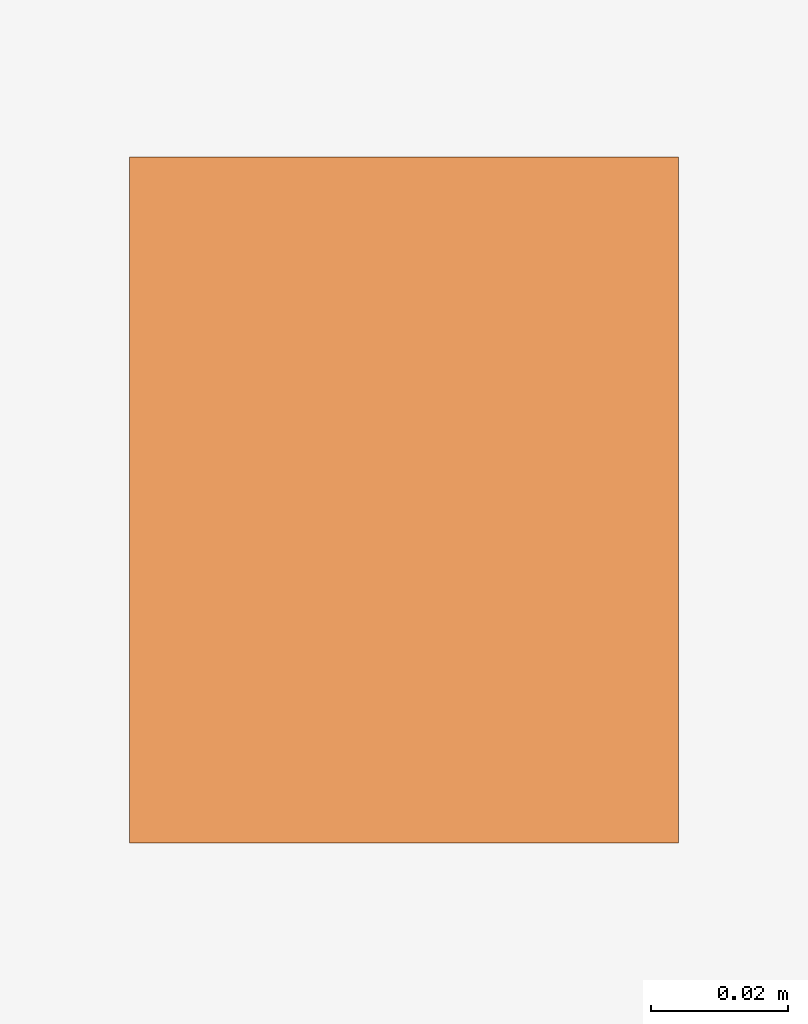
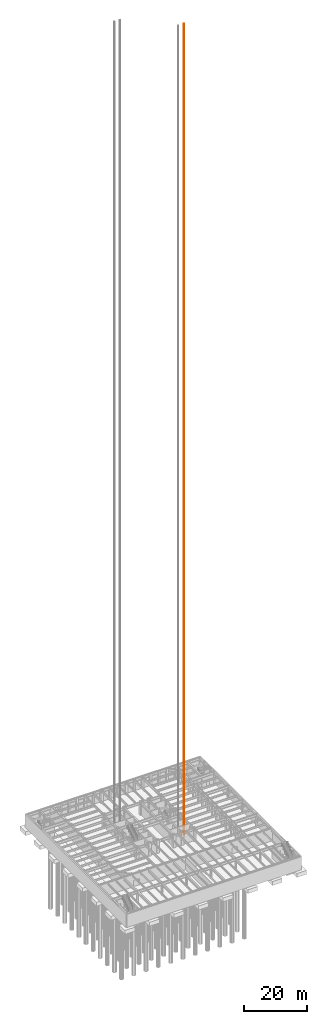
# One storey, part 18 of 18: 1 proxy.
"""IFC4 building model written with IfcOpenShell, lengths in metres."""

from ifc_helpers import new_model, si_unit, direction, frame, origin, origin_2d, place, context, subcontext, project, spatial, rectangle, extrude, material, type_object, element, save


model = new_model("IFC4")

# Units and contexts
model_context = context("Model", 3, precision=1e-05, world=origin(), true_north=direction((0.0, 1.0)))
body_context = subcontext(model_context, "Body", "Model", "MODEL_VIEW")
ifc_project = project(units=[si_unit("LENGTHUNIT", "METRE"), si_unit("AREAUNIT", "SQUARE_METRE"), si_unit("VOLUMEUNIT", "CUBIC_METRE"), si_unit("PLANEANGLEUNIT", "RADIAN"), si_unit("MASSUNIT", "GRAM", prefix="KILO")], contexts=[model_context])

# Site, building, storey
site_placement = place(None, origin())
site = spatial("IfcSite", under=ifc_project, at=site_placement, CompositionType="ELEMENT")
building_placement = place(site_placement, origin())
building = spatial("IfcBuilding", under=site, at=building_placement, Name="Chuquiago Exchange Tower", CompositionType="ELEMENT")
storey_placement = place(building_placement, frame((0.0, 0.0, -5.0)))
storey = spatial("IfcBuildingStorey", under=building, at=storey_placement, Name="B1", CompositionType="ELEMENT", Elevation=-5.0)

# Proxy
ifc_material = material(Name="Galvanised steel guide rail", Category="steel")
building_element_proxy_type = type_object("IfcBuildingElementProxyType", Name="LR lift guide rail", PredefinedType="NOTDEFINED", material=ifc_material)
proxy_placement = place(storey_placement, frame((31.81005859375, 16.5, 0.0), z_axis=(0.0, 0.0, 1.0), x_axis=(1.0, 0.0, 0.0)))
element("IfcBuildingElementProxy", 1, at=proxy_placement, inside=storey, type_object=building_element_proxy_type, Name="Lift FL2 guide rail E", PredefinedType="NOTDEFINED", context=body_context, shape_type="SweptSolid", body=[
    extrude(rectangle(XDim=0.080078125, YDim=0.10009765625, at=origin_2d()), origin(), (0.0, 0.0, 1.0), 313.89990234375),
])

save(model, "model.ifc")
